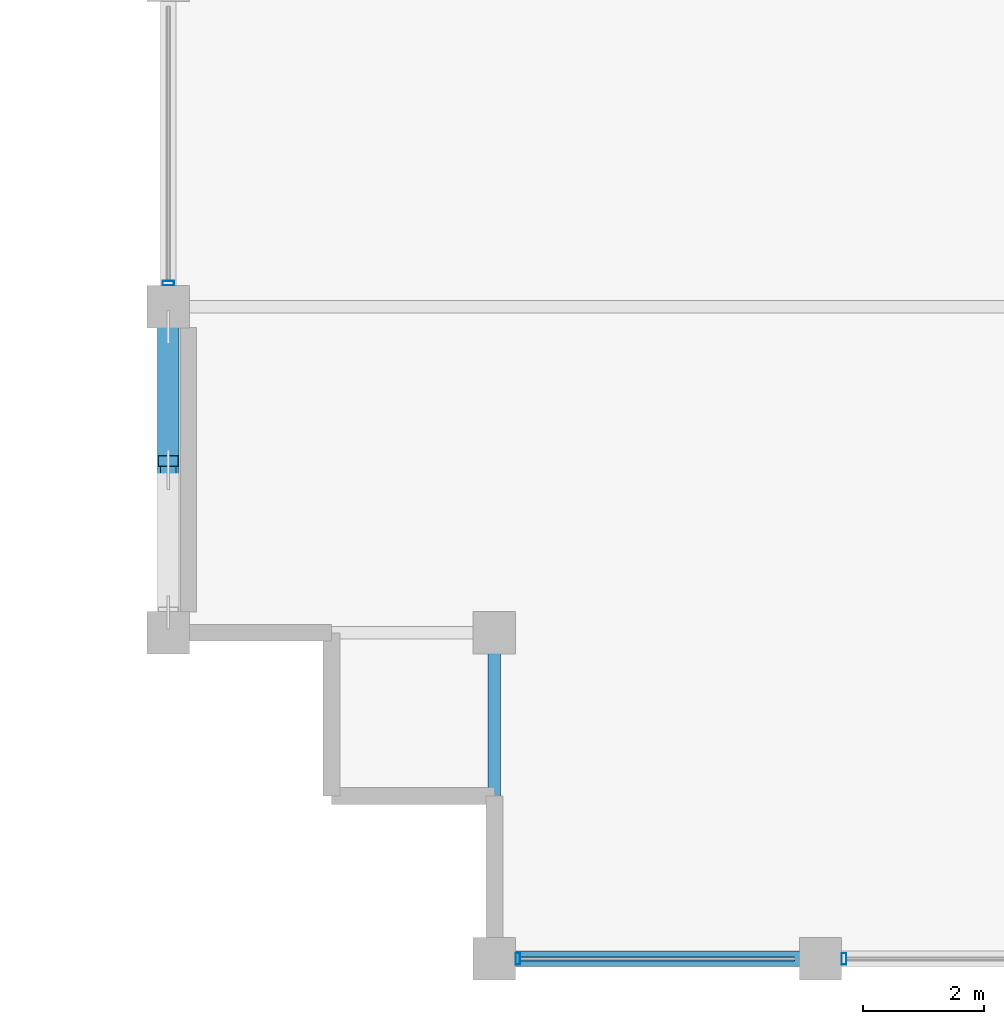
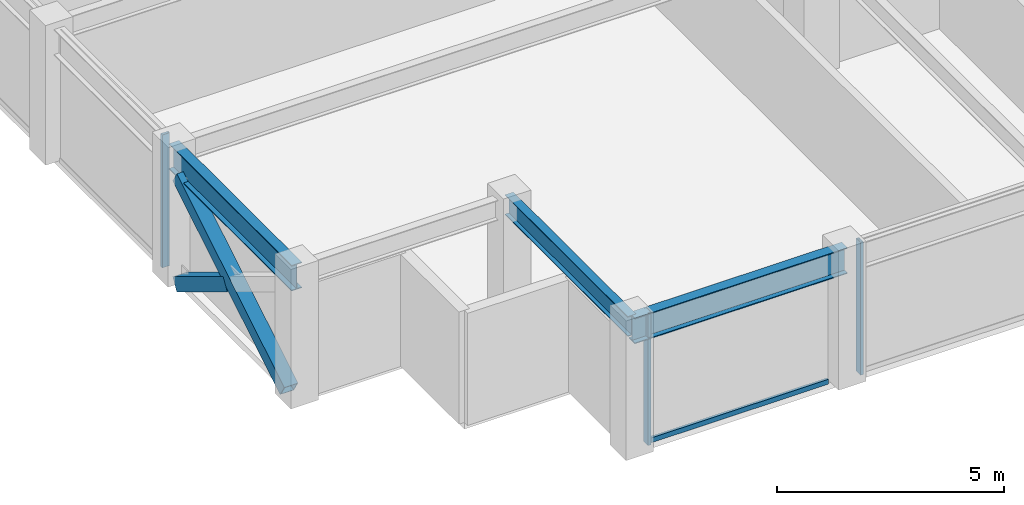
# One storey, part 2 of 31: 6 members, 3 beams, 2 elements without a shape of their own.
"""IFC4 building model written with IfcOpenShell, lengths in metres."""

from ifc_helpers import new_model, si_unit, direction, frame, origin, origin_2d, place, context, subcontext, project, spatial, hollow_rectangle, i_section, extrude, material, layer, layer_set, material_profile, profile_set, type_object, element, aggregate, save


model = new_model("IFC4")

# Units and contexts
model_context = context("Model", 3, precision=1e-05, world=origin(), true_north=direction((0.0, 1.0)))
body_context = subcontext(model_context, "Body", "Model", "MODEL_VIEW")
ifc_project = project(units=[si_unit("LENGTHUNIT", "METRE"), si_unit("AREAUNIT", "SQUARE_METRE"), si_unit("VOLUMEUNIT", "CUBIC_METRE"), si_unit("PLANEANGLEUNIT", "RADIAN"), si_unit("MASSUNIT", "GRAM", prefix="KILO")], contexts=[model_context])

# Site, building, storey
site_placement = place(None, origin())
site = spatial("IfcSite", under=ifc_project, at=site_placement, CompositionType="ELEMENT")
building_placement = place(site_placement, origin())
building = spatial("IfcBuilding", under=site, at=building_placement, Name="Surkhivell Harbour Commons", CompositionType="ELEMENT")
storey_placement = place(building_placement, frame((0.0, 0.0, 322.5)))
storey = spatial("IfcBuildingStorey", under=building, at=storey_placement, Name="L84", CompositionType="ELEMENT", Elevation=322.5)

# Beams
ifc_material_1 = material(Name="Steel S355", Category="steel")
ifc_material_profile_1 = material_profile(ifc_material_1, i_section(OverallWidth=0.2099609375, OverallDepth=0.537109375, WebThickness=0.0107421875, FlangeThickness=0.017333984375, at=origin_2d()), Name="UB533x210x101")
ifc_profile_set_1 = profile_set([ifc_material_profile_1], Name="Steel S355")
beam_type_1 = type_object("IfcBeamType", Name="BM-GRD-533B", PredefinedType="BEAM", material=ifc_profile_set_1)
beam_1_placement = place(storey_placement, frame((-21.60009765625, -21.60009765625, 3.301513671875), z_axis=(0.0, 1.0, 0.0), x_axis=(-1.0, 0.0, 0.0)))
element("IfcBeam", 1, at=beam_1_placement, inside=storey, type_object=beam_type_1, Name="L84 Floor Girder (-21.6,-21.6)", PredefinedType="BEAM", context=body_context, shape_type="SweptSolid", body=[
    extrude(i_section(OverallWidth=0.2099609375, OverallDepth=0.537109375, WebThickness=0.0107421875, FlangeThickness=0.017333984375, at=origin_2d()), origin(), (0.0, 0.0, 1.0), 5.400146484375),
])
ifc_material_profile_2 = material_profile(ifc_material_1, i_section(OverallWidth=0.256103515625, OverallDepth=0.693115234375, WebThickness=0.014404296875, FlangeThickness=0.023681640625, at=origin_2d()), Name="UB686x254x170")
ifc_profile_set_2 = profile_set([ifc_material_profile_2], Name="Steel S355")
beam_type_2 = type_object("IfcBeamType", Name="BM-SPN-686", PredefinedType="SPANDREL", material=ifc_profile_set_2)
beam_2_placement = place(storey_placement, frame((-27.0, -16.199951171875, 3.223388671875), z_axis=(0.0, 1.0, 0.0), x_axis=(-1.0, 0.0, 0.0)))
element("IfcBeam", 2, at=beam_2_placement, inside=storey, type_object=beam_type_2, Name="L84 Tube Spandrel (-27.0,-16.2)", PredefinedType="SPANDREL", context=body_context, shape_type="SweptSolid", body=[
    extrude(i_section(OverallWidth=0.256103515625, OverallDepth=0.693115234375, WebThickness=0.014404296875, FlangeThickness=0.023681640625, at=origin_2d()), origin(), (0.0, 0.0, 1.0), 5.39990234375),
])
beam_3_placement = place(storey_placement, frame((-21.60009765625, -21.60009765625, 3.223388671875), z_axis=(1.0, 0.0, 0.0), x_axis=(0.0, 1.0, 0.0)))
element("IfcBeam", 3, at=beam_3_placement, inside=storey, type_object=beam_type_2, Name="L84 Tube Spandrel (-21.6,-21.6)", PredefinedType="SPANDREL", context=body_context, shape_type="SweptSolid", body=[
    extrude(i_section(OverallWidth=0.256103515625, OverallDepth=0.693115234375, WebThickness=0.014404296875, FlangeThickness=0.023681640625, at=origin_2d()), origin(), (0.0, 0.0, 1.0), 5.400146484375),
])

# Curtain wall, members
ifc_material_2 = material(Name="Anodised pale-metal aluminium and insulated glazing", Category="aluminium")
ifc_layer = layer(ifc_material_2, 0.175048828125)
ifc_layer_set = layer_set([ifc_layer], Name="Anodised pale-metal aluminium and insulated glazing")
curtain_wall_type = type_object("IfcCurtainWallType", Name="CW-SYS-Z4", PredefinedType="NOTDEFINED", material=ifc_layer_set)
curtain_wall_1_placement = place(storey_placement, origin())
curtain_wall_1 = element("IfcCurtainWall", 4, at=curtain_wall_1_placement, inside=storey, type_object=curtain_wall_type, Name="L84 Curtain Wall CW-L84-E00S1", PredefinedType="NOTDEFINED")
ifc_material_3 = material(Name="Anodised pale-metal aluminium alloy 6063-T6", Category="aluminium")
ifc_material_profile_3 = material_profile(ifc_material_3, hollow_rectangle(XDim=0.074951171875, YDim=0.18994140625, WallThickness=0.00390625, at=origin_2d()), Name="ALU-MULL-75x190")
ifc_profile_set_3 = profile_set([ifc_material_profile_3], Name="Anodised pale-metal aluminium alloy 6063-T6")
member_type_1 = type_object("IfcMemberType", Name="CWM-190", PredefinedType="MULLION", material=ifc_profile_set_3)
member_1_placement = place(storey_placement, frame((-21.21044921875, -21.60009765625, 0.0), z_axis=(0.0, 0.0, 1.0), x_axis=(1.0, 0.0, 0.0)))
member_1 = element("IfcMember", 5, at=member_1_placement, type_object=member_type_1, Name="CW-Z4 mullion 1", PredefinedType="MULLION", context=body_context, shape_type="SweptSolid", body=[
    extrude(hollow_rectangle(XDim=0.074951171875, YDim=0.18994140625, WallThickness=0.00390625, at=origin_2d()), origin(), (0.0, 0.0, 1.0), 3.570068359375),
])
member_2_placement = place(storey_placement, frame((-15.810546875, -21.60009765625, 0.0), z_axis=(0.0, 0.0, 1.0), x_axis=(1.0, 0.0, 0.0)))
member_2 = element("IfcMember", 6, at=member_2_placement, type_object=member_type_1, Name="CW-Z4 mullion 2", PredefinedType="MULLION", context=body_context, shape_type="SweptSolid", body=[
    extrude(hollow_rectangle(XDim=0.074951171875, YDim=0.18994140625, WallThickness=0.00390625, at=origin_2d()), origin(), (0.0, 0.0, 1.0), 3.570068359375),
])

# Curtain wall, member
curtain_wall_2_placement = place(storey_placement, origin())
curtain_wall_2 = element("IfcCurtainWall", 7, at=curtain_wall_2_placement, inside=storey, type_object=curtain_wall_type, Name="L84 Curtain Wall CW-L84-E12R1S1", PredefinedType="NOTDEFINED")
member_3_placement = place(storey_placement, frame((-27.0, -10.410400390625, 0.0), z_axis=(0.0, 0.0, 1.0), x_axis=(0.0, 1.0, 0.0)))
member_3 = element("IfcMember", 8, at=member_3_placement, type_object=member_type_1, Name="CW-Z4 mullion 1", PredefinedType="MULLION", context=body_context, shape_type="SweptSolid", body=[
    extrude(hollow_rectangle(XDim=0.074951171875, YDim=0.18994140625, WallThickness=0.00390625, at=origin_2d()), origin(), (0.0, 0.0, 1.0), 3.570068359375),
])
aggregate(curtain_wall_2, [member_3])

# Member
ifc_material_4 = material(Name="Champagne anodised aluminium alloy 6063-T6", Category="aluminium")
ifc_material_profile_4 = material_profile(ifc_material_4, hollow_rectangle(XDim=0.070068359375, YDim=0.1298828125, WallThickness=0.00341796875, at=origin_2d()), Name="ALU-TRAN-70x130")
ifc_profile_set_4 = profile_set([ifc_material_profile_4], Name="Champagne anodised aluminium alloy 6063-T6")
member_type_2 = type_object("IfcMemberType", Name="CWT-130", PredefinedType="USERDEFINED", material=ifc_profile_set_4)
member_4_placement = place(storey_placement, frame((-21.173095703125, -21.60009765625, 0.06494140625), z_axis=(1.0, 0.0, 0.0), x_axis=(0.0, 1.0, 0.0)))
member_4 = element("IfcMember", 9, at=member_4_placement, type_object=member_type_2, Name="CW-Z4 transom 1.1", ObjectType="TRANSOM", PredefinedType="USERDEFINED", context=body_context, shape_type="SweptSolid", body=[
    extrude(hollow_rectangle(XDim=0.070068359375, YDim=0.1298828125, WallThickness=0.00341796875, at=origin_2d()), origin(), (0.0, 0.0, 1.0), 4.546142578125),
])

aggregate(curtain_wall_1, [member_1, member_4, member_2])

# Members
ifc_material_profile_5 = material_profile(ifc_material_1, hollow_rectangle(XDim=0.35009765625, YDim=0.35009765625, WallThickness=0.01611328125, at=origin_2d()), Name="SHS350x350x16")
ifc_profile_set_5 = profile_set([ifc_material_profile_5], Name="Steel S355")
member_type_3 = type_object("IfcMemberType", Name="MEM-BRC-SHS350", PredefinedType="BRACE", material=ifc_profile_set_5)
member_5_placement = place(storey_placement, frame((-27.0, -15.864990234375, 0.008056640625), z_axis=(0.0, 0.854685454322, 0.519146197299), x_axis=(-1.0, 0.0, 0.0)))
element("IfcMember", 10, at=member_5_placement, inside=storey, type_object=member_type_3, Name="L84 Perimeter Mega-Brace MB- 10", PredefinedType="BRACE", context=body_context, shape_type="SweptSolid", body=[
    extrude(hollow_rectangle(XDim=0.35009765625, YDim=0.35009765625, WallThickness=0.01611328125, at=origin_2d()), origin(), (0.0, 0.0, 1.0), 5.5341796875),
])
member_6_placement = place(storey_placement, frame((-27.0, -11.135009765625, 0.008056640625), z_axis=(0.0, -0.854678858595, 0.51915705588), x_axis=(1.0, 0.0, 0.0)))
element("IfcMember", 11, at=member_6_placement, inside=storey, type_object=member_type_3, Name="L84 Perimeter Mega-Brace MB- 11", PredefinedType="BRACE", context=body_context, shape_type="SweptSolid", body=[
    extrude(hollow_rectangle(XDim=0.35009765625, YDim=0.35009765625, WallThickness=0.01611328125, at=origin_2d()), origin(), (0.0, 0.0, 1.0), 2.59912109375),
])

save(model, "model.ifc")
